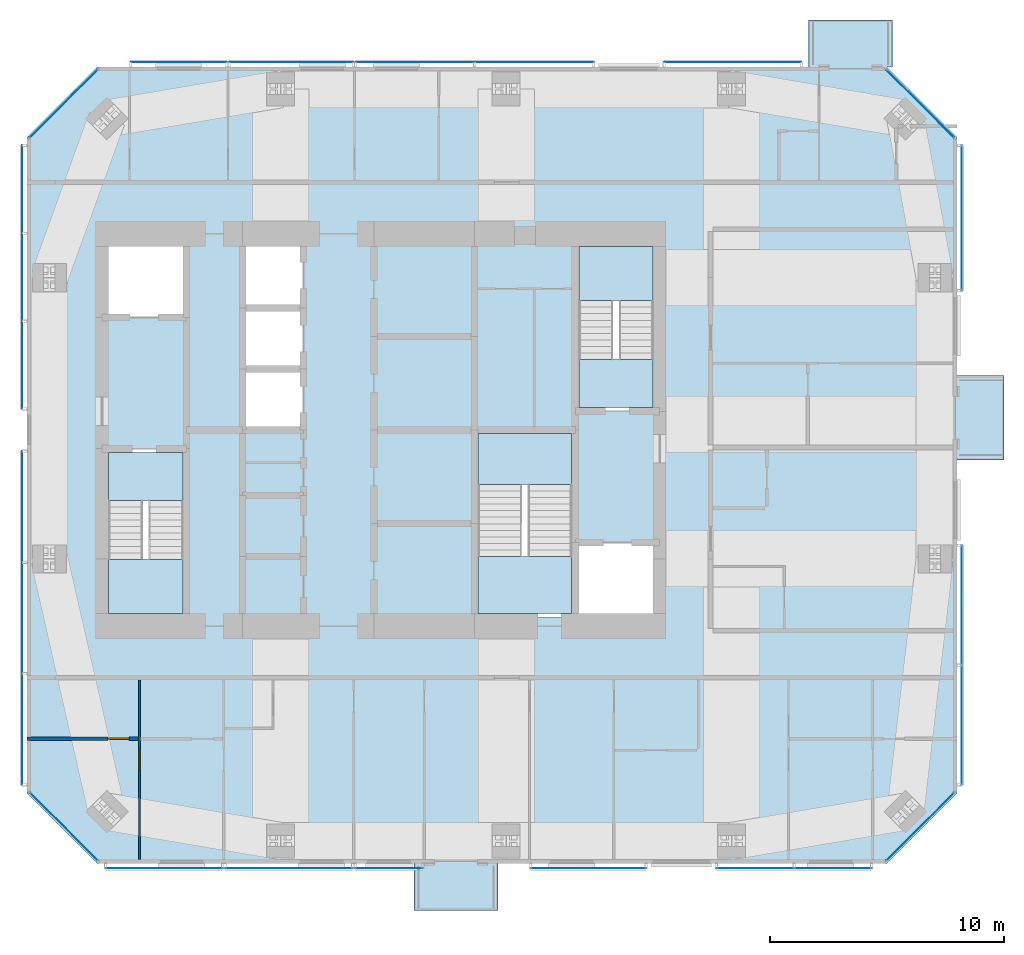
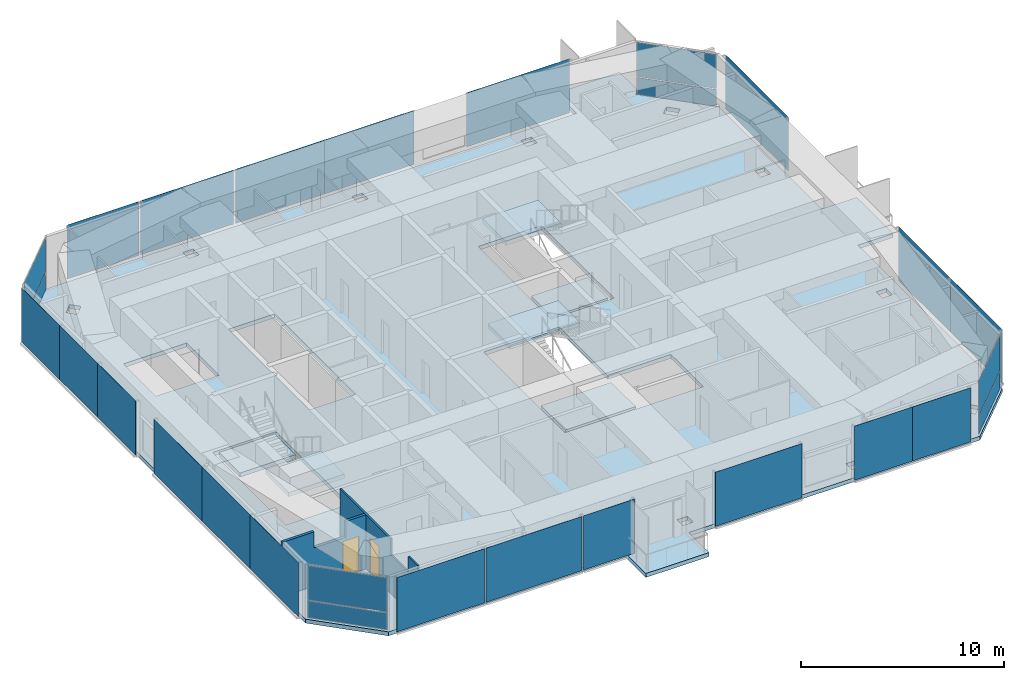
# One storey, part 12 of 18: 28 plates, 7 slabs, 2 doors, 2 walls, 2 openings, 20 elements without a shape of their own.
"""IFC4 building model written with IfcOpenShell, lengths in metres."""

from ifc_helpers import new_model, si_unit, direction, frame, frame_2d, origin, origin_2d, place, context, subcontext, project, spatial, polyline, rectangle, outline, extrude, material, layer, layer_set, constituent, constituent_set, type_object, element, fill, aggregate, save


model = new_model("IFC4")

# Units and contexts
model_context = context("Model", 3, precision=1e-05, world=origin(), true_north=direction((0.0, 1.0)))
body_context = subcontext(model_context, "Body", "Model", "MODEL_VIEW")
ifc_project = project(units=[si_unit("LENGTHUNIT", "METRE"), si_unit("AREAUNIT", "SQUARE_METRE"), si_unit("VOLUMEUNIT", "CUBIC_METRE"), si_unit("PLANEANGLEUNIT", "RADIAN"), si_unit("MASSUNIT", "GRAM", prefix="KILO")], contexts=[model_context])

# Site, building, storey
site_placement = place(None, origin())
site = spatial("IfcSite", under=ifc_project, at=site_placement, CompositionType="ELEMENT")
building_placement = place(site_placement, origin())
building = spatial("IfcBuilding", under=site, at=building_placement, Name="Jalousie Tower", CompositionType="ELEMENT")
storey_placement = place(building_placement, frame((0.0, 0.0, 249.449951171875)))
storey = spatial("IfcBuildingStorey", under=building, at=storey_placement, Name="L68", CompositionType="ELEMENT", Elevation=249.449951171875)

# Curtain wall, plates
ifc_material_1 = material(Name="Aluminium curtain wall", Category="aluminium")
curtain_wall_type_1 = type_object("IfcCurtainWallType", Name="CORNER WINDOW WALL", PredefinedType="USERDEFINED", material=ifc_material_1)
curtain_wall_1_placement = place(storey_placement, origin())
curtain_wall_1 = element("IfcCurtainWall", 1, at=curtain_wall_1_placement, inside=storey, type_object=curtain_wall_type_1, Name="Corner Window Wall L68 2", ObjectType="CORNER WINDOW WALL", PredefinedType="USERDEFINED")
ifc_material_2 = material(Name="Laminated impact-rated spandrel glass", Category="glass")
ifc_layer_1 = layer(ifc_material_2, 0.028076171875)
ifc_layer_set_1 = layer_set([ifc_layer_1], Name="Laminated impact-rated spandrel glass")
plate_type_1 = type_object("IfcPlateType", Name="CORNER WINDOW WALL PANEL", PredefinedType="CURTAIN_PANEL", material=ifc_layer_set_1)
plate_1_placement = place(storey_placement, frame((54.9306640625, 1.5693359375, 0.06005859375), z_axis=(0.0, 0.0, 1.0), x_axis=(0.707106781187, 0.707106781187, 0.0)))
plate_1 = element("IfcPlate", 2, at=plate_1_placement, type_object=plate_type_1, Name="CW-C panel 1.1", PredefinedType="CURTAIN_PANEL", context=body_context, shape_type="SweptSolid", body=[
    extrude(rectangle(XDim=4.071533203125, YDim=0.028076171875, at=origin_2d()), origin(), (0.0, 0.0, 1.0), 1.010009765625),
])
plate_2_placement = place(storey_placement, frame((54.9306640625, 1.5693359375, 1.1298828125), z_axis=(0.0, 0.0, 1.0), x_axis=(0.707106781187, 0.707106781187, 0.0)))
plate_2 = element("IfcPlate", 3, at=plate_2_placement, type_object=plate_type_1, Name="CW-C panel 1.2", PredefinedType="CURTAIN_PANEL", context=body_context, shape_type="SweptSolid", body=[
    extrude(rectangle(XDim=4.071533203125, YDim=0.028076171875, at=origin_2d()), origin(), (0.0, 0.0, 1.0), 2.070068359375),
])
aggregate(curtain_wall_1, [plate_1, plate_2])

curtain_wall_2_placement = place(storey_placement, origin())
curtain_wall_2 = element("IfcCurtainWall", 4, at=curtain_wall_2_placement, inside=storey, type_object=curtain_wall_type_1, Name="Corner Window Wall L68 4", ObjectType="CORNER WINDOW WALL", PredefinedType="USERDEFINED")
plate_3_placement = place(storey_placement, frame((54.9306640625, 32.4306640625, 0.06005859375), z_axis=(0.0, 0.0, 1.0), x_axis=(-0.707106781187, 0.707106781187, 0.0)))
plate_3 = element("IfcPlate", 5, at=plate_3_placement, type_object=plate_type_1, Name="CW-C panel 1.1", PredefinedType="CURTAIN_PANEL", context=body_context, shape_type="SweptSolid", body=[
    extrude(rectangle(XDim=4.071533203125, YDim=0.028076171875, at=origin_2d()), origin(), (0.0, 0.0, 1.0), 1.010009765625),
])
plate_4_placement = place(storey_placement, frame((54.9306640625, 32.4306640625, 1.1298828125), z_axis=(0.0, 0.0, 1.0), x_axis=(-0.707106781187, 0.707106781187, 0.0)))
plate_4 = element("IfcPlate", 6, at=plate_4_placement, type_object=plate_type_1, Name="CW-C panel 1.2", PredefinedType="CURTAIN_PANEL", context=body_context, shape_type="SweptSolid", body=[
    extrude(rectangle(XDim=4.071533203125, YDim=0.028076171875, at=origin_2d()), origin(), (0.0, 0.0, 1.0), 2.070068359375),
])
aggregate(curtain_wall_2, [plate_3, plate_4])

curtain_wall_3_placement = place(storey_placement, origin())
curtain_wall_3 = element("IfcCurtainWall", 7, at=curtain_wall_3_placement, inside=storey, type_object=curtain_wall_type_1, Name="Corner Window Wall L68 6", ObjectType="CORNER WINDOW WALL", PredefinedType="USERDEFINED")
plate_5_placement = place(storey_placement, frame((18.369384765625, 32.4306640625, 0.06005859375), z_axis=(0.0, 0.0, 1.0), x_axis=(-0.707106781187, -0.707106781187, 0.0)))
plate_5 = element("IfcPlate", 8, at=plate_5_placement, type_object=plate_type_1, Name="CW-C panel 1.1", PredefinedType="CURTAIN_PANEL", context=body_context, shape_type="SweptSolid", body=[
    extrude(rectangle(XDim=4.071533203125, YDim=0.028076171875, at=origin_2d()), origin(), (0.0, 0.0, 1.0), 1.010009765625),
])
plate_6_placement = place(storey_placement, frame((18.369384765625, 32.4306640625, 1.1298828125), z_axis=(0.0, 0.0, 1.0), x_axis=(-0.707106781187, -0.707106781187, 0.0)))
plate_6 = element("IfcPlate", 9, at=plate_6_placement, type_object=plate_type_1, Name="CW-C panel 1.2", PredefinedType="CURTAIN_PANEL", context=body_context, shape_type="SweptSolid", body=[
    extrude(rectangle(XDim=4.071533203125, YDim=0.028076171875, at=origin_2d()), origin(), (0.0, 0.0, 1.0), 2.070068359375),
])
aggregate(curtain_wall_3, [plate_5, plate_6])

curtain_wall_4_placement = place(storey_placement, origin())
curtain_wall_4 = element("IfcCurtainWall", 10, at=curtain_wall_4_placement, inside=storey, type_object=curtain_wall_type_1, Name="Corner Window Wall L68 8", ObjectType="CORNER WINDOW WALL", PredefinedType="USERDEFINED")
plate_7_placement = place(storey_placement, frame((18.369384765625, 1.5693359375, 0.06005859375), z_axis=(0.0, 0.0, 1.0), x_axis=(0.707106781187, -0.707106781187, 0.0)))
plate_7 = element("IfcPlate", 11, at=plate_7_placement, type_object=plate_type_1, Name="CW-C panel 1.1", PredefinedType="CURTAIN_PANEL", context=body_context, shape_type="SweptSolid", body=[
    extrude(rectangle(XDim=4.071533203125, YDim=0.028076171875, at=origin_2d()), origin(), (0.0, 0.0, 1.0), 1.010009765625),
])
plate_8_placement = place(storey_placement, frame((18.369384765625, 1.5693359375, 1.1298828125), z_axis=(0.0, 0.0, 1.0), x_axis=(0.707106781187, -0.707106781187, 0.0)))
plate_8 = element("IfcPlate", 12, at=plate_8_placement, type_object=plate_type_1, Name="CW-C panel 1.2", PredefinedType="CURTAIN_PANEL", context=body_context, shape_type="SweptSolid", body=[
    extrude(rectangle(XDim=4.071533203125, YDim=0.028076171875, at=origin_2d()), origin(), (0.0, 0.0, 1.0), 2.070068359375),
])
aggregate(curtain_wall_4, [plate_7, plate_8])

# Slab
ifc_material_3 = material(Name="Concrete f'c 40 MPa", Category="concrete")
ifc_layer_2 = layer(ifc_material_3, 0.239990234375)
ifc_layer_set_2 = layer_set([ifc_layer_2], Name="Concrete f'c 40 MPa")
slab_type_1 = type_object("IfcSlabType", Name="FLOOR SLAB 240", PredefinedType="FLOOR", material=ifc_layer_set_2)
slab_1_placement = place(storey_placement, frame((0.0, 0.0, -0.239990234375)))
element("IfcSlab", 13, at=slab_1_placement, inside=storey, type_object=slab_type_1, Name="L68 floor slab", PredefinedType="FLOOR", context=body_context, shape_type="SweptSolid", body=[
    extrude(outline(polyline([(19.800048828125, 34.0), (50.148681640625, 34.0), (50.148681640625, 36.0), (53.748779296875, 36.0), (53.748779296875, 34.0), (53.5, 34.0), (56.5, 31.0), (56.5, 20.824951171875), (58.5, 20.824951171875), (58.5, 17.22509765625), (56.5, 17.22509765625), (56.5, 3.0), (53.5, 0.0), (36.909912109375, 0.0), (36.909912109375, -2.0), (33.31005859375, -2.0), (33.31005859375, 0.0), (19.800048828125, 0.0), (16.800048828125, 3.0), (16.800048828125, 31.0), (19.800048828125, 34.0)]), holes=[polyline([(55.263916015625, 25.300048828125), (55.263916015625, 24.699951171875), (55.836181640625, 24.699951171875), (55.836181640625, 25.300048828125), (55.263916015625, 25.300048828125)]), polyline([(55.836181640625, 12.699951171875), (55.836181640625, 13.300048828125), (55.263916015625, 13.300048828125), (55.263916015625, 12.699951171875), (55.836181640625, 12.699951171875)]), polyline([(54.337890625, 2.656982421875), (53.843017578125, 2.162109375), (54.247802734375, 1.757080078125), (54.742919921875, 2.252197265625), (54.337890625, 2.656982421875)]), polyline([(54.742919921875, 31.747802734375), (54.247802734375, 32.242919921875), (53.843017578125, 31.837890625), (54.337890625, 31.343017578125), (54.742919921875, 31.747802734375)]), polyline([(47.175048828125, 33.336181640625), (46.574951171875, 33.336181640625), (46.574951171875, 32.763916015625), (47.175048828125, 32.763916015625), (47.175048828125, 33.336181640625)]), polyline([(47.175048828125, 1.236083984375), (46.574951171875, 1.236083984375), (46.574951171875, 0.663818359375), (47.175048828125, 0.663818359375), (47.175048828125, 1.236083984375)]), polyline([(40.199951171875, 26.5), (40.199951171875, 19.300048828125), (43.800048828125, 19.300048828125), (43.800048828125, 26.5), (40.199951171875, 26.5)]), polyline([(40.199951171875, 13.699951171875), (40.199951171875, 18.5), (35.89990234375, 18.5), (35.89990234375, 10.5), (43.800048828125, 10.5), (43.800048828125, 13.699951171875), (40.199951171875, 13.699951171875)]), polyline([(36.949951171875, 0.663818359375), (37.550048828125, 0.663818359375), (37.550048828125, 1.236083984375), (36.949951171875, 1.236083984375), (36.949951171875, 0.663818359375)]), polyline([(37.550048828125, 33.336181640625), (36.949951171875, 33.336181640625), (36.949951171875, 32.763916015625), (37.550048828125, 32.763916015625), (37.550048828125, 33.336181640625)]), polyline([(26.0, 26.5), (26.0, 18.5), (28.60009765625, 18.5), (28.60009765625, 26.5), (26.0, 26.5)]), polyline([(27.925048828125, 33.336181640625), (27.324951171875, 33.336181640625), (27.324951171875, 32.763916015625), (27.925048828125, 32.763916015625), (27.925048828125, 33.336181640625)]), polyline([(27.925048828125, 1.236083984375), (27.324951171875, 1.236083984375), (27.324951171875, 0.663818359375), (27.925048828125, 0.663818359375), (27.925048828125, 1.236083984375)]), polyline([(20.0, 26.5), (20.0, 23.300048828125), (23.60009765625, 23.300048828125), (23.60009765625, 26.5), (20.0, 26.5)]), polyline([(20.0, 17.699951171875), (20.0, 10.5), (23.60009765625, 10.5), (23.60009765625, 17.699951171875), (20.0, 17.699951171875)]), polyline([(20.656982421875, 2.162109375), (20.162109375, 2.656982421875), (19.757080078125, 2.252197265625), (20.252197265625, 1.757080078125), (20.656982421875, 2.162109375)]), polyline([(20.656982421875, 31.837890625), (20.252197265625, 32.242919921875), (19.757080078125, 31.747802734375), (20.162109375, 31.343017578125), (20.656982421875, 31.837890625)]), polyline([(17.4638671875, 13.300048828125), (17.4638671875, 12.699951171875), (18.0361328125, 12.699951171875), (18.0361328125, 13.300048828125), (17.4638671875, 13.300048828125)]), polyline([(18.0361328125, 24.699951171875), (18.0361328125, 25.300048828125), (17.4638671875, 25.300048828125), (17.4638671875, 24.699951171875), (18.0361328125, 24.699951171875)])]), origin(), (0.0, 0.0, 1.0), 0.239990234375),
])

# Curtain wall, plate
ifc_material_4 = material(Name="Perforated aluminium sheet", Category="aluminium")
curtain_wall_type_2 = type_object("IfcCurtainWallType", Name="SOLAR SCREEN SS-2", PredefinedType="USERDEFINED", material=ifc_material_4)
curtain_wall_5_placement = place(storey_placement, origin())
curtain_wall_5 = element("IfcCurtainWall", 14, at=curtain_wall_5_placement, inside=storey, type_object=curtain_wall_type_2, Name="Solar screen L68", ObjectType="SOLAR SCREEN SS-2", PredefinedType="USERDEFINED")
ifc_material_5 = material(Name="Perforated aluminium sheet", Category="aluminium")
ifc_layer_3 = layer(ifc_material_5, 0.006103515625)
ifc_layer_set_3 = layer_set([ifc_layer_3], Name="Perforated aluminium sheet")
plate_type_2 = type_object("IfcPlateType", Name="SOLAR SCREEN SS-2 PANEL", PredefinedType="CURTAIN_PANEL", material=ifc_layer_set_3)
plate_9_placement = place(storey_placement, frame((22.650634765625, -0.201171875, 0.0), z_axis=(0.0, 0.0, 1.0), x_axis=(1.0, 0.0, 0.0)))
plate_9 = element("IfcPlate", 15, at=plate_9_placement, type_object=plate_type_2, Name="SS2 perforated panel 1", PredefinedType="CURTAIN_PANEL", context=body_context, shape_type="SweptSolid", body=[
    extrude(rectangle(XDim=4.998779296875, YDim=0.006103515625, at=origin_2d()), origin(), (0.0, 0.0, 1.0), 3.260009765625),
])
aggregate(curtain_wall_5, [plate_9])

curtain_wall_6_placement = place(storey_placement, origin())
curtain_wall_6 = element("IfcCurtainWall", 16, at=curtain_wall_6_placement, inside=storey, type_object=curtain_wall_type_2, Name="Solar screen L68", ObjectType="SOLAR SCREEN SS-2", PredefinedType="USERDEFINED")
plate_10_placement = place(storey_placement, frame((27.97509765625, -0.201171875, 0.0), z_axis=(0.0, 0.0, 1.0), x_axis=(1.0, 0.0, 0.0)))
plate_10 = element("IfcPlate", 17, at=plate_10_placement, type_object=plate_type_2, Name="SS2 perforated panel 1", PredefinedType="CURTAIN_PANEL", context=body_context, shape_type="SweptSolid", body=[
    extrude(rectangle(XDim=5.449951171875, YDim=0.006103515625, at=origin_2d()), origin(), (0.0, 0.0, 1.0), 3.260009765625),
])
aggregate(curtain_wall_6, [plate_10])

curtain_wall_7_placement = place(storey_placement, origin())
curtain_wall_7 = element("IfcCurtainWall", 18, at=curtain_wall_7_placement, inside=storey, type_object=curtain_wall_type_2, Name="Solar screen L68", ObjectType="SOLAR SCREEN SS-2", PredefinedType="USERDEFINED")
plate_11_placement = place(storey_placement, frame((32.25, -0.201171875, 0.0), z_axis=(0.0, 0.0, 1.0), x_axis=(1.0, 0.0, 0.0)))
plate_11 = element("IfcPlate", 19, at=plate_11_placement, type_object=plate_type_2, Name="SS2 perforated panel 1", PredefinedType="CURTAIN_PANEL", context=body_context, shape_type="SweptSolid", body=[
    extrude(rectangle(XDim=2.89990234375, YDim=0.006103515625, at=origin_2d()), origin(), (0.0, 0.0, 1.0), 3.260009765625),
])
aggregate(curtain_wall_7, [plate_11])

curtain_wall_8_placement = place(storey_placement, origin())
curtain_wall_8 = element("IfcCurtainWall", 20, at=curtain_wall_8_placement, inside=storey, type_object=curtain_wall_type_2, Name="Solar screen L68", ObjectType="SOLAR SCREEN SS-2", PredefinedType="USERDEFINED")
plate_12_placement = place(storey_placement, frame((40.762451171875, -0.201171875, 0.0), z_axis=(0.0, 0.0, 1.0), x_axis=(1.0, 0.0, 0.0)))
plate_12 = element("IfcPlate", 21, at=plate_12_placement, type_object=plate_type_2, Name="SS2 perforated panel 1", PredefinedType="CURTAIN_PANEL", context=body_context, shape_type="SweptSolid", body=[
    extrude(rectangle(XDim=4.925048828125, YDim=0.006103515625, at=origin_2d()), origin(), (0.0, 0.0, 1.0), 3.260009765625),
])
aggregate(curtain_wall_8, [plate_12])

# Curtain wall, plates
curtain_wall_9_placement = place(storey_placement, origin())
curtain_wall_9 = element("IfcCurtainWall", 22, at=curtain_wall_9_placement, inside=storey, type_object=curtain_wall_type_2, Name="Solar screen L68", ObjectType="SOLAR SCREEN SS-2", PredefinedType="USERDEFINED")
plate_13_placement = place(storey_placement, frame((47.88134765625, -0.201171875, 0.0), z_axis=(0.0, 0.0, 1.0), x_axis=(1.0, 0.0, 0.0)))
plate_13 = element("IfcPlate", 23, at=plate_13_placement, type_object=plate_type_2, Name="SS2 perforated panel 1", PredefinedType="CURTAIN_PANEL", context=body_context, shape_type="SweptSolid", body=[
    extrude(rectangle(XDim=3.3125, YDim=0.006103515625, at=origin_2d()), origin(), (0.0, 0.0, 1.0), 3.260009765625),
])
plate_14_placement = place(storey_placement, frame((51.19384765625, -0.201171875, 0.0), z_axis=(0.0, 0.0, 1.0), x_axis=(1.0, 0.0, 0.0)))
plate_14 = element("IfcPlate", 24, at=plate_14_placement, type_object=plate_type_2, Name="SS2 perforated panel 2", PredefinedType="CURTAIN_PANEL", context=body_context, shape_type="SweptSolid", body=[
    extrude(rectangle(XDim=3.3125, YDim=0.006103515625, at=origin_2d()), origin(), (0.0, 0.0, 1.0), 3.260009765625),
])
aggregate(curtain_wall_9, [plate_13, plate_14])

curtain_wall_10_placement = place(storey_placement, origin())
curtain_wall_10 = element("IfcCurtainWall", 25, at=curtain_wall_10_placement, inside=storey, type_object=curtain_wall_type_2, Name="Solar screen L68", ObjectType="SOLAR SCREEN SS-2", PredefinedType="USERDEFINED")
plate_15_placement = place(storey_placement, frame((56.701171875, 5.908935546875, 0.0), z_axis=(0.0, 0.0, 1.0), x_axis=(0.0, 1.0, 0.0)))
plate_15 = element("IfcPlate", 26, at=plate_15_placement, type_object=plate_type_2, Name="SS2 perforated panel 1", PredefinedType="CURTAIN_PANEL", context=body_context, shape_type="SweptSolid", body=[
    extrude(rectangle(XDim=5.115234375, YDim=0.006103515625, at=origin_2d()), origin(), (0.0, 0.0, 1.0), 3.260009765625),
])
plate_16_placement = place(storey_placement, frame((56.701171875, 11.024169921875, 0.0), z_axis=(0.0, 0.0, 1.0), x_axis=(0.0, 1.0, 0.0)))
plate_16 = element("IfcPlate", 27, at=plate_16_placement, type_object=plate_type_2, Name="SS2 perforated panel 2", PredefinedType="CURTAIN_PANEL", context=body_context, shape_type="SweptSolid", body=[
    extrude(rectangle(XDim=5.115234375, YDim=0.006103515625, at=origin_2d()), origin(), (0.0, 0.0, 1.0), 3.260009765625),
])
aggregate(curtain_wall_10, [plate_15, plate_16])

# Curtain wall, plate
curtain_wall_11_placement = place(storey_placement, origin())
curtain_wall_11 = element("IfcCurtainWall", 28, at=curtain_wall_11_placement, inside=storey, type_object=curtain_wall_type_2, Name="Solar screen L68", ObjectType="SOLAR SCREEN SS-2", PredefinedType="USERDEFINED")
plate_17_placement = place(storey_placement, frame((56.701171875, 27.54931640625, 0.0), z_axis=(0.0, 0.0, 1.0), x_axis=(0.0, 1.0, 0.0)))
plate_17 = element("IfcPlate", 29, at=plate_17_placement, type_object=plate_type_2, Name="SS2 perforated panel 1", PredefinedType="CURTAIN_PANEL", context=body_context, shape_type="SweptSolid", body=[
    extrude(rectangle(XDim=6.19873046875, YDim=0.006103515625, at=origin_2d()), origin(), (0.0, 0.0, 1.0), 3.260009765625),
])
aggregate(curtain_wall_11, [plate_17])

curtain_wall_12_placement = place(storey_placement, origin())
curtain_wall_12 = element("IfcCurtainWall", 30, at=curtain_wall_12_placement, inside=storey, type_object=curtain_wall_type_2, Name="Solar screen L68", ObjectType="SOLAR SCREEN SS-2", PredefinedType="USERDEFINED")
plate_18_placement = place(storey_placement, frame((46.918701171875, 34.201171875, 0.0), z_axis=(0.0, 0.0, 1.0), x_axis=(-1.0, 0.0, 0.0)))
plate_18 = element("IfcPlate", 31, at=plate_18_placement, type_object=plate_type_2, Name="SS2 perforated panel 1", PredefinedType="CURTAIN_PANEL", context=body_context, shape_type="SweptSolid", body=[
    extrude(rectangle(XDim=5.860107421875, YDim=0.006103515625, at=origin_2d()), origin(), (0.0, 0.0, 1.0), 3.260009765625),
])
aggregate(curtain_wall_12, [plate_18])

# Curtain wall, plates
curtain_wall_13_placement = place(storey_placement, origin())
curtain_wall_13 = element("IfcCurtainWall", 32, at=curtain_wall_13_placement, inside=storey, type_object=curtain_wall_type_2, Name="Solar screen L68", ObjectType="SOLAR SCREEN SS-2", PredefinedType="USERDEFINED")
plate_19_placement = place(storey_placement, frame((38.44775390625, 34.201171875, 0.0), z_axis=(0.0, 0.0, 1.0), x_axis=(-1.0, 0.0, 0.0)))
plate_19 = element("IfcPlate", 33, at=plate_19_placement, type_object=plate_type_2, Name="SS2 perforated panel 1", PredefinedType="CURTAIN_PANEL", context=body_context, shape_type="SweptSolid", body=[
    extrude(rectangle(XDim=5.081787109375, YDim=0.006103515625, at=origin_2d()), origin(), (0.0, 0.0, 1.0), 3.260009765625),
])
plate_20_placement = place(storey_placement, frame((33.365966796875, 34.201171875, 0.0), z_axis=(0.0, 0.0, 1.0), x_axis=(-1.0, 0.0, 0.0)))
plate_20 = element("IfcPlate", 34, at=plate_20_placement, type_object=plate_type_2, Name="SS2 perforated panel 2", PredefinedType="CURTAIN_PANEL", context=body_context, shape_type="SweptSolid", body=[
    extrude(rectangle(XDim=5.081787109375, YDim=0.006103515625, at=origin_2d()), origin(), (0.0, 0.0, 1.0), 3.260009765625),
])
aggregate(curtain_wall_13, [plate_19, plate_20])

# Curtain wall, plate
curtain_wall_14_placement = place(storey_placement, origin())
curtain_wall_14 = element("IfcCurtainWall", 35, at=curtain_wall_14_placement, inside=storey, type_object=curtain_wall_type_2, Name="Solar screen L68", ObjectType="SOLAR SCREEN SS-2", PredefinedType="USERDEFINED")
plate_21_placement = place(storey_placement, frame((28.074951171875, 34.201171875, 0.0), z_axis=(0.0, 0.0, 1.0), x_axis=(-1.0, 0.0, 0.0)))
plate_21 = element("IfcPlate", 36, at=plate_21_placement, type_object=plate_type_2, Name="SS2 perforated panel 1", PredefinedType="CURTAIN_PANEL", context=body_context, shape_type="SweptSolid", body=[
    extrude(rectangle(XDim=5.300048828125, YDim=0.006103515625, at=origin_2d()), origin(), (0.0, 0.0, 1.0), 3.260009765625),
])
aggregate(curtain_wall_14, [plate_21])

curtain_wall_15_placement = place(storey_placement, origin())
curtain_wall_15 = element("IfcCurtainWall", 37, at=curtain_wall_15_placement, inside=storey, type_object=curtain_wall_type_2, Name="Solar screen L68", ObjectType="SOLAR SCREEN SS-2", PredefinedType="USERDEFINED")
plate_22_placement = place(storey_placement, frame((23.275634765625, 34.201171875, 0.0), z_axis=(0.0, 0.0, 1.0), x_axis=(-1.0, 0.0, 0.0)))
plate_22 = element("IfcPlate", 38, at=plate_22_placement, type_object=plate_type_2, Name="SS2 perforated panel 1", PredefinedType="CURTAIN_PANEL", context=body_context, shape_type="SweptSolid", body=[
    extrude(rectangle(XDim=4.0986328125, YDim=0.006103515625, at=origin_2d()), origin(), (0.0, 0.0, 1.0), 3.260009765625),
])
aggregate(curtain_wall_15, [plate_22])

# Curtain wall, plates
curtain_wall_16_placement = place(storey_placement, origin())
curtain_wall_16 = element("IfcCurtainWall", 39, at=curtain_wall_16_placement, inside=storey, type_object=curtain_wall_type_2, Name="Solar screen L68", ObjectType="SOLAR SCREEN SS-2", PredefinedType="USERDEFINED")
plate_23_placement = place(storey_placement, frame((16.598876953125, 28.77392578125, 0.0), z_axis=(0.0, 0.0, 1.0), x_axis=(0.0, -1.0, 0.0)))
plate_23 = element("IfcPlate", 40, at=plate_23_placement, type_object=plate_type_2, Name="SS2 perforated panel 1", PredefinedType="CURTAIN_PANEL", context=body_context, shape_type="SweptSolid", body=[
    extrude(rectangle(XDim=3.74951171875, YDim=0.006103515625, at=origin_2d()), origin(), (0.0, 0.0, 1.0), 3.260009765625),
])
plate_24_placement = place(storey_placement, frame((16.598876953125, 25.0244140625, 0.0), z_axis=(0.0, 0.0, 1.0), x_axis=(0.0, -1.0, 0.0)))
plate_24 = element("IfcPlate", 41, at=plate_24_placement, type_object=plate_type_2, Name="SS2 perforated panel 2", PredefinedType="CURTAIN_PANEL", context=body_context, shape_type="SweptSolid", body=[
    extrude(rectangle(XDim=3.74951171875, YDim=0.006103515625, at=origin_2d()), origin(), (0.0, 0.0, 1.0), 3.260009765625),
])
plate_25_placement = place(storey_placement, frame((16.598876953125, 21.27490234375, 0.0), z_axis=(0.0, 0.0, 1.0), x_axis=(0.0, -1.0, 0.0)))
plate_25 = element("IfcPlate", 42, at=plate_25_placement, type_object=plate_type_2, Name="SS2 perforated panel 3", PredefinedType="CURTAIN_PANEL", context=body_context, shape_type="SweptSolid", body=[
    extrude(rectangle(XDim=3.74951171875, YDim=0.006103515625, at=origin_2d()), origin(), (0.0, 0.0, 1.0), 3.260009765625),
])
aggregate(curtain_wall_16, [plate_23, plate_24, plate_25])

curtain_wall_17_placement = place(storey_placement, origin())
curtain_wall_17 = element("IfcCurtainWall", 43, at=curtain_wall_17_placement, inside=storey, type_object=curtain_wall_type_2, Name="Solar screen L68", ObjectType="SOLAR SCREEN SS-2", PredefinedType="USERDEFINED")
plate_26_placement = place(storey_placement, frame((16.598876953125, 15.22509765625, 0.0), z_axis=(0.0, 0.0, 1.0), x_axis=(0.0, -1.0, 0.0)))
plate_26 = element("IfcPlate", 44, at=plate_26_placement, type_object=plate_type_2, Name="SS2 perforated panel 1", PredefinedType="CURTAIN_PANEL", context=body_context, shape_type="SweptSolid", body=[
    extrude(rectangle(XDim=4.74951171875, YDim=0.006103515625, at=origin_2d()), origin(), (0.0, 0.0, 1.0), 3.260009765625),
])
plate_27_placement = place(storey_placement, frame((16.598876953125, 10.4755859375, 0.0), z_axis=(0.0, 0.0, 1.0), x_axis=(0.0, -1.0, 0.0)))
plate_27 = element("IfcPlate", 45, at=plate_27_placement, type_object=plate_type_2, Name="SS2 perforated panel 2", PredefinedType="CURTAIN_PANEL", context=body_context, shape_type="SweptSolid", body=[
    extrude(rectangle(XDim=4.74951171875, YDim=0.006103515625, at=origin_2d()), origin(), (0.0, 0.0, 1.0), 3.260009765625),
])
plate_28_placement = place(storey_placement, frame((16.598876953125, 5.72607421875, 0.0), z_axis=(0.0, 0.0, 1.0), x_axis=(0.0, -1.0, 0.0)))
plate_28 = element("IfcPlate", 46, at=plate_28_placement, type_object=plate_type_2, Name="SS2 perforated panel 3", PredefinedType="CURTAIN_PANEL", context=body_context, shape_type="SweptSolid", body=[
    extrude(rectangle(XDim=4.74951171875, YDim=0.006103515625, at=origin_2d()), origin(), (0.0, 0.0, 1.0), 3.260009765625),
])
aggregate(curtain_wall_17, [plate_26, plate_27, plate_28])

# Stair, slabs
ifc_material_6 = material(Name="Concrete f'c 40 MPa", Category="concrete")
stair_type = type_object("IfcStairType", Name="EXIT STAIR", PredefinedType="HALF_TURN_STAIR", material=ifc_material_6)
stair_1_placement = place(storey_placement, origin())
stair_1 = element("IfcStair", 47, at=stair_1_placement, inside=storey, type_object=stair_type, Name="Exit stair A L68", PredefinedType="HALF_TURN_STAIR")
ifc_material_7 = material(Name="Concrete f'c 40 MPa", Category="concrete")
ifc_layer_4 = layer(ifc_material_7, 0.25)
ifc_layer_set_4 = layer_set([ifc_layer_4], Name="Concrete f'c 40 MPa")
slab_type_2 = type_object("IfcSlabType", Name="STAIR LANDING 250", PredefinedType="LANDING", material=ifc_layer_set_4)
slab_2_placement = place(storey_placement, frame((0.0, 0.0, -0.25)))
slab_2 = element("IfcSlab", 48, at=slab_2_placement, type_object=slab_type_2, Name="ST-A landing 1", PredefinedType="LANDING", context=body_context, shape_type="SweptSolid", body=[
    extrude(outline(polyline([(20.27490234375, 15.49755859375), (23.449951171875, 15.49755859375), (23.449951171875, 17.550048828125), (20.27490234375, 17.550048828125), (20.27490234375, 15.49755859375)])), origin(), (0.0, 0.0, 1.0), 0.25),
])
slab_3_placement = place(storey_placement, frame((0.0, 0.0, 1.5)))
slab_3 = element("IfcSlab", 49, at=slab_3_placement, type_object=slab_type_2, Name="ST-A landing 2", PredefinedType="LANDING", context=body_context, shape_type="SweptSolid", body=[
    extrude(outline(polyline([(20.27490234375, 10.675048828125), (23.449951171875, 10.675048828125), (23.449951171875, 12.9775390625), (20.27490234375, 12.9775390625), (20.27490234375, 10.675048828125)])), origin(), (0.0, 0.0, 1.0), 0.25),
])
aggregate(stair_1, [slab_2, slab_3])

stair_2_placement = place(storey_placement, origin())
stair_2 = element("IfcStair", 50, at=stair_2_placement, inside=storey, type_object=stair_type, Name="Exit stair B L68", PredefinedType="HALF_TURN_STAIR")
slab_4_placement = place(storey_placement, frame((0.0, 0.0, -0.25)))
slab_4 = element("IfcSlab", 51, at=slab_4_placement, type_object=slab_type_2, Name="ST-B landing 1", PredefinedType="LANDING", context=body_context, shape_type="SweptSolid", body=[
    extrude(outline(polyline([(40.35009765625, 19.449951171875), (43.52490234375, 19.449951171875), (43.52490234375, 21.50244140625), (40.35009765625, 21.50244140625), (40.35009765625, 19.449951171875)])), origin(), (0.0, 0.0, 1.0), 0.25),
])
slab_5_placement = place(storey_placement, frame((0.0, 0.0, 1.5)))
slab_5 = element("IfcSlab", 52, at=slab_5_placement, type_object=slab_type_2, Name="ST-B landing 2", PredefinedType="LANDING", context=body_context, shape_type="SweptSolid", body=[
    extrude(outline(polyline([(40.35009765625, 24.0224609375), (43.52490234375, 24.0224609375), (43.52490234375, 26.324951171875), (40.35009765625, 26.324951171875), (40.35009765625, 24.0224609375)])), origin(), (0.0, 0.0, 1.0), 0.25),
])
aggregate(stair_2, [slab_4, slab_5])

stair_3_placement = place(storey_placement, origin())
stair_3 = element("IfcStair", 53, at=stair_3_placement, inside=storey, type_object=stair_type, Name="Exit stair C L68", PredefinedType="HALF_TURN_STAIR")
slab_6_placement = place(storey_placement, frame((0.0, 0.0, -0.25)))
slab_6 = element("IfcSlab", 54, at=slab_6_placement, type_object=slab_type_2, Name="ST-C landing 1", PredefinedType="LANDING", context=body_context, shape_type="SweptSolid", body=[
    extrude(outline(polyline([(36.050048828125, 10.675048828125), (40.050048828125, 10.675048828125), (40.050048828125, 13.097412109375), (36.050048828125, 13.097412109375), (36.050048828125, 10.675048828125)])), origin(), (0.0, 0.0, 1.0), 0.25),
])
slab_7_placement = place(storey_placement, frame((0.0, 0.0, 1.5)))
slab_7 = element("IfcSlab", 55, at=slab_7_placement, type_object=slab_type_2, Name="ST-C landing 2", PredefinedType="LANDING", context=body_context, shape_type="SweptSolid", body=[
    extrude(outline(polyline([(36.050048828125, 16.177490234375), (40.050048828125, 16.177490234375), (40.050048828125, 18.35009765625), (36.050048828125, 18.35009765625), (36.050048828125, 16.177490234375)])), origin(), (0.0, 0.0, 1.0), 0.25),
])
aggregate(stair_3, [slab_6, slab_7])

# Wall, opening, door
ifc_material_8 = material(Name="Concrete block ASTM C90", Category="concrete")
ifc_constituent_1 = constituent(ifc_material_8, Name="Body")
ifc_material_9 = material(Name="Render")
ifc_constituent_2 = constituent(ifc_material_9, Name="Finish")
ifc_constituent_set_1 = constituent_set(constituents=[ifc_constituent_1, ifc_constituent_2])
wall_type_1 = type_object("IfcWallType", Name="BATHROOM WALL 150", PredefinedType="PLUMBINGWALL", material=ifc_constituent_set_1)
wall_1_placement = place(storey_placement, frame((16.800048828125, 5.324951171875, 0.0), z_axis=(0.0, 0.0, 1.0), x_axis=(1.0, 0.0, 0.0)))
wall_1 = element("IfcWall", 56, at=wall_1_placement, inside=storey, type_object=wall_type_1, Name="Bathroom Wall 150 L68", PredefinedType="PLUMBINGWALL", context=body_context, shape_type="SweptSolid", body=[
    extrude(outline(polyline([(0.0, 0.0), (4.75, 0.0), (4.75, 3.260009765625), (3.60498046875, 3.260009765625), (3.60498046875, 2.300048828125), (1.78955078125, 2.300048828125), (1.78955078125, 3.260009765625), (0.0, 3.260009765625), (0.0, 0.0)])), frame((0.0, 0.074951171875, 0.0), z_axis=(0.0, -1.0, 0.0), x_axis=(1.0, 0.0, 0.0)), (0.0, 0.0, 1.0), 0.14990234375),
])
opening_1_placement = place(wall_1_placement, frame((3.449951171875, 0.0, 0.0)))
opening_1 = element("IfcOpeningElement", 57, at=opening_1_placement, cuts=wall_1, Name="Opening D3", PredefinedType="OPENING", context=body_context, shape_type="SweptSolid", body=[
    extrude(rectangle(XDim=0.89990234375, YDim=2.10009765625, at=frame_2d((0.449951171875, 1.050048828125))), frame((0.0, 0.0849609375, 0.0), z_axis=(0.0, -1.0, 0.0), x_axis=(1.0, 0.0, 0.0)), (0.0, 0.0, 1.0), 0.169921875),
])
ifc_material_10 = material(Name="Timber door", Category="wood")
door_type_1 = type_object("IfcDoorType", Name="BATHROOM DOOR 900", OperationType="SINGLE_SWING_LEFT", PredefinedType="DOOR", material=ifc_material_10)
door_1_placement = place(opening_1_placement, origin())
door_1 = element("IfcDoor", 58, at=door_1_placement, inside=storey, type_object=door_type_1, Name="Apartment 6801 bedroom 1 bathroom door", OperationType="SINGLE_SWING_RIGHT", OverallHeight=2.10009765625, OverallWidth=0.89990234375, PredefinedType="DOOR", context=body_context, shape_type="SweptSolid", body=[
    extrude(rectangle(XDim=0.89990234375, YDim=2.10009765625, at=frame_2d((0.449951171875, 1.050048828125))), frame((0.0, 0.02490234375, 0.0), z_axis=(0.0, -1.0, 0.0), x_axis=(1.0, 0.0, 0.0)), (0.0, 0.0, 1.0), 0.050048828125),
])
fill(opening_1, door_1)

ifc_material_11 = material(Name="Gypsum board", Category="gypsum")
ifc_constituent_3 = constituent(ifc_material_11, Name="Body")
ifc_material_12 = material(Name="Light-gauge steel studs ASTM A653 SS Grade 33", Category="steel")
ifc_constituent_4 = constituent(ifc_material_12, Name="Framing")
ifc_constituent_set_2 = constituent_set(constituents=[ifc_constituent_3, ifc_constituent_4])
wall_type_2 = type_object("IfcWallType", Name="PARTITION 100", PredefinedType="PARTITIONING", material=ifc_constituent_set_2)
wall_2_placement = place(storey_placement, frame((21.60009765625, 0.175048828125, 0.0), z_axis=(0.0, 0.0, 1.0), x_axis=(0.0, 1.0, 0.0)))
wall_2 = element("IfcWall", 59, at=wall_2_placement, inside=storey, type_object=wall_type_2, Name="Partition 100 L68", PredefinedType="PARTITIONING", context=body_context, shape_type="SweptSolid", body=[
    extrude(outline(polyline([(0.0, 0.0), (7.64990234375, 0.0), (7.64990234375, 3.260009765625), (2.668212890625, 3.260009765625), (2.668212890625, 2.300048828125), (0.923828125, 2.300048828125), (0.923828125, 3.260009765625), (0.0, 3.260009765625), (0.0, 0.0)])), frame((0.0, 0.050048828125, 0.0), z_axis=(0.0, -1.0, 0.0), x_axis=(1.0, 0.0, 0.0)), (0.0, 0.0, 1.0), 0.10009765625),
])
opening_2_placement = place(wall_2_placement, frame((3.800048828125, 0.0, 0.0)))
opening_2 = element("IfcOpeningElement", 60, at=opening_2_placement, cuts=wall_2, Name="Opening D2", PredefinedType="OPENING", context=body_context, shape_type="SweptSolid", body=[
    extrude(rectangle(XDim=0.89990234375, YDim=2.10009765625, at=frame_2d((0.449951171875, 1.050048828125))), frame((0.0, 0.06005859375, 0.0), z_axis=(0.0, -1.0, 0.0), x_axis=(1.0, 0.0, 0.0)), (0.0, 0.0, 1.0), 0.1201171875),
])
ifc_material_13 = material(Name="Timber door", Category="wood")
door_type_2 = type_object("IfcDoorType", Name="BEDROOM DOOR 900", OperationType="SINGLE_SWING_LEFT", PredefinedType="DOOR", material=ifc_material_13)
door_2_placement = place(opening_2_placement, origin())
door_2 = element("IfcDoor", 61, at=door_2_placement, inside=storey, type_object=door_type_2, Name="Apartment 6801 bedroom 1 door", OperationType="SINGLE_SWING_RIGHT", OverallHeight=2.10009765625, OverallWidth=0.89990234375, PredefinedType="DOOR", context=body_context, shape_type="SweptSolid", body=[
    extrude(rectangle(XDim=0.89990234375, YDim=2.10009765625, at=frame_2d((0.449951171875, 1.050048828125))), frame((0.0, 0.02490234375, 0.0), z_axis=(0.0, -1.0, 0.0), x_axis=(1.0, 0.0, 0.0)), (0.0, 0.0, 1.0), 0.050048828125),
])
fill(opening_2, door_2)

save(model, "model.ifc")
